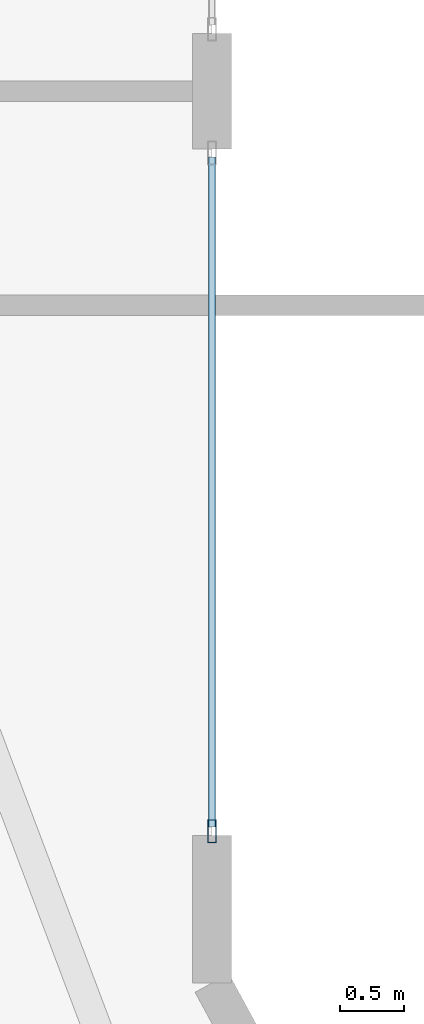
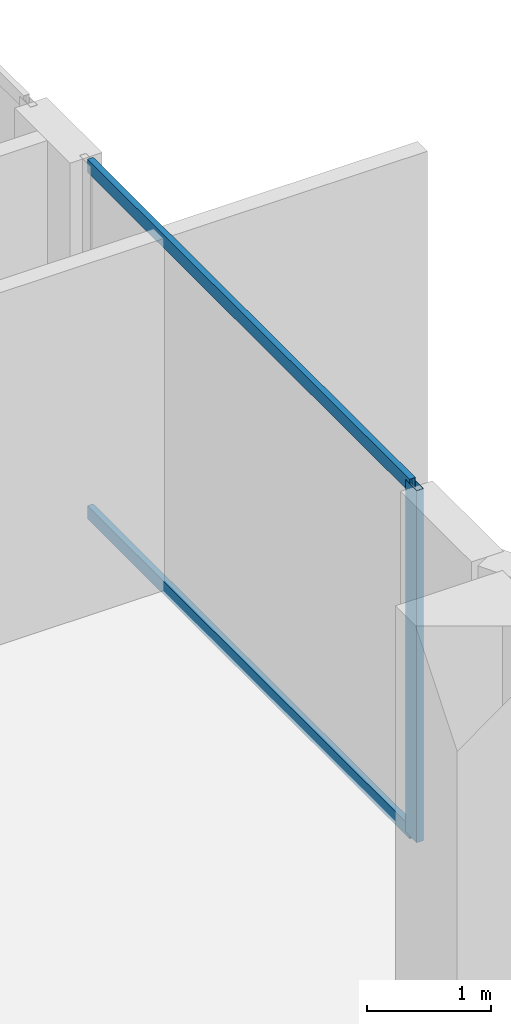
# One storey, part 10 of 23: 3 members, 1 element without a shape of its own.
"""IFC4 building model written with IfcOpenShell, lengths in metres."""

import ifcopenshell
import ifcopenshell.guid

model = None  # the IFC model being written
_history = None  # IfcOwnerHistory: only IFC2X3 demands one
_inside = {}  # id of a spatial element -> (the spatial element, [elements in it])
_under = {}  # id of a project, library or spatial element -> (it, [spatial elements below it])
_declared = {}  # id of a project -> (the project, [libraries it declares])
_typed = {}  # id of a type object -> (the type object, [elements of that type])
_made_of = {}  # id of a material, layer set ... -> (it, [elements and type objects made of it])


def new_model(schema):
    """Start an empty IFC model of exactly this schema.

    Asked for "IFC4X3", IfcOpenShell would pick the latest addendum, in which some entities
    have other attributes; the version numbers below select the first issue.
    IFC2X3 requires an IfcOwnerHistory on every rooted entity: one is made here for all.
    """
    global model, _history
    if schema == "IFC4X3":
        model = ifcopenshell.file(schema_version=(4, 3, 0, 0))
    else:
        model = ifcopenshell.file(schema=schema)
    _inside.clear()
    _under.clear()
    _declared.clear()
    _typed.clear()
    _made_of.clear()
    _history = None
    if model.schema == "IFC2X3":
        org = make("IfcOrganization", Name="unknown")
        user = make(
            "IfcPersonAndOrganization",
            ThePerson=make("IfcPerson", FamilyName="unknown"),
            TheOrganization=org,
        )
        app = make(
            "IfcApplication",
            ApplicationDeveloper=org,
            Version="unknown",
            ApplicationFullName="unknown",
            ApplicationIdentifier="unknown",
        )
        _history = make(
            "IfcOwnerHistory",
            OwningUser=user,
            OwningApplication=app,
            ChangeAction="ADDED",
            CreationDate=0,
        )
    return model


def make(cls, **values):
    """One entity of the class cls with the attributes given. An attribute that is None is left unset."""
    return model.create_entity(
        cls, **{name: value for name, value in values.items() if value is not None}
    )


def rooted(cls, **values):
    """An entity with a GlobalId (a new one), such as an element, a storey or a relation."""
    return make(cls, GlobalId=ifcopenshell.guid.new(), OwnerHistory=_history, **values)


def si_unit(unit_type, name, prefix=None):
    """IfcSIUnit, for example si_unit("LENGTHUNIT", "METRE", prefix="MILLI")."""
    return make("IfcSIUnit", UnitType=unit_type, Prefix=prefix, Name=name)


def assignment(units):
    """IfcUnitAssignment: the units of a project."""
    return None if units is None else make("IfcUnitAssignment", Units=units)


def point(xyz):
    """IfcCartesianPoint."""
    return None if xyz is None else make("IfcCartesianPoint", Coordinates=xyz)


def direction(xyz):
    """IfcDirection."""
    return None if xyz is None else make("IfcDirection", DirectionRatios=xyz)


def frame(location, z_axis=None, x_axis=None):
    """IfcAxis2Placement3D, a coordinate frame: its origin and axes. An axis left out is left unset."""
    return make(
        "IfcAxis2Placement3D",
        Location=point(location),
        Axis=direction(z_axis),
        RefDirection=direction(x_axis),
    )


def frame_2d(location, x_axis=None):
    """IfcAxis2Placement2D, a coordinate frame in the plane: its origin and x axis."""
    return make(
        "IfcAxis2Placement2D", Location=point(location), RefDirection=direction(x_axis)
    )


def origin():
    """The frame at (0, 0, 0) with its axes left unset."""
    return frame((0.0, 0.0, 0.0))


def origin_2d():
    """The frame at (0, 0) in the plane with its x axis left unset."""
    return frame_2d((0.0, 0.0))


def place(relative_to, where):
    """IfcLocalPlacement: puts the frame where relative to a parent placement (None: the world)."""
    return make(
        "IfcLocalPlacement", PlacementRelTo=relative_to, RelativePlacement=where
    )


def context(
    kind, dimensions, precision=None, world=None, true_north=None, identifier=None
):
    """IfcGeometricRepresentationContext, for example the 3D "Model" context."""
    return make(
        "IfcGeometricRepresentationContext",
        ContextIdentifier=identifier,
        ContextType=kind,
        CoordinateSpaceDimension=dimensions,
        Precision=precision,
        WorldCoordinateSystem=world,
        TrueNorth=true_north,
    )


def subcontext(parent, identifier, kind, view, scale=None):
    """IfcGeometricRepresentationSubContext, for example "Body" below "Model"."""
    return make(
        "IfcGeometricRepresentationSubContext",
        ContextIdentifier=identifier,
        ContextType=kind,
        ParentContext=parent,
        TargetScale=scale,
        TargetView=view,
    )


def project(units=None, contexts=None):
    """IfcProject with its units and contexts."""
    return rooted(
        "IfcProject",
        Name="project",
        RepresentationContexts=contexts,
        UnitsInContext=assignment(units),
    )


def spatial(cls, under=None, at=None, **own):
    """A site, building, storey or space (cls), placed at a placement, below another one or the project."""
    s = rooted(cls, ObjectPlacement=at, **own)
    if under is not None:
        _under.setdefault(under.id(), (under, []))[1].append(s)
    return s


def profile(cls, at=None, kind="AREA", **sizes):
    """A parametric profile (cls). Its sizes go by their IFC names, for example OverallWidth=200.0."""
    return make(cls, ProfileType=kind, Position=at, **sizes)


def hollow_rectangle(**sizes):
    """IfcRectangleHollowProfileDef."""
    return profile("IfcRectangleHollowProfileDef", **sizes)


def extrude(swept, where, along, depth):
    """IfcExtrudedAreaSolid: the profile swept, set in the frame where, extruded along a direction by depth."""
    return make(
        "IfcExtrudedAreaSolid",
        SweptArea=swept,
        Position=where,
        ExtrudedDirection=direction(along),
        Depth=depth,
    )


def shape(context_of_items, identifier, shape_type, items):
    """IfcShapeRepresentation: the items that make up one representation, for example the "Body"."""
    return make(
        "IfcShapeRepresentation",
        ContextOfItems=context_of_items,
        RepresentationIdentifier=identifier,
        RepresentationType=shape_type,
        Items=items,
    )


def material(Name=None, Category=None):
    """IfcMaterial."""
    return make("IfcMaterial", Name=Name, Category=Category)


def layer(
    of_material, thickness, ventilated=None, Name=None, Category=None, Priority=None
):
    """IfcMaterialLayer: one layer of a wall or slab, of a material (None: an air gap)."""
    return make(
        "IfcMaterialLayer",
        Material=of_material,
        LayerThickness=thickness,
        IsVentilated=ventilated,
        Name=Name,
        Category=Category,
        Priority=Priority,
    )


def layer_set(layers, Name=None):
    """IfcMaterialLayerSet."""
    return make("IfcMaterialLayerSet", MaterialLayers=layers, LayerSetName=Name)


def material_profile(
    of_material, cross_section, Name=None, Category=None, Priority=None
):
    """IfcMaterialProfile: a cross section and its material."""
    return make(
        "IfcMaterialProfile",
        Name=Name,
        Material=of_material,
        Profile=cross_section,
        Priority=Priority,
        Category=Category,
    )


def profile_set(profiles, Name=None, composite=None):
    """IfcMaterialProfileSet."""
    return make(
        "IfcMaterialProfileSet",
        Name=Name,
        MaterialProfiles=profiles,
        CompositeProfile=composite,
    )


def made_of(thing, what):
    """Note that an element or type object is made of a material, layer set ...; save() writes the relation."""
    if what is not None:
        _made_of.setdefault(what.id(), (what, []))[1].append(thing)
    return thing


def type_object(cls, material=None, **own):
    """A type object (cls), such as IfcWallType, which elements share."""
    return made_of(rooted(cls, **own), material)


def element(
    cls,
    number,
    at=None,
    inside=None,
    cuts=None,
    type_object=None,
    material=None,
    context=None,
    identifier="Body",
    shape_type=None,
    held_by="IfcProductDefinitionShape",
    body=None,
    shapes=None,
    **own,
):
    """One element of the class cls, such as IfcWall. Its Tag is "e" and its number.

    at: its placement. inside: the storey or other place that contains it. cuts: it is an
    opening in that element (IfcRelVoidsElement). A single representation is given by context,
    identifier, shape_type and body (its items); several are given by shapes. held_by: the class
    of the entity that holds the representations. save() writes the other relations.
    """
    e = rooted(cls, Tag="e%d" % number, ObjectPlacement=at, **own)
    if body is not None:
        shapes = [shape(context, identifier, shape_type, body)]
    if shapes is not None:
        e.Representation = make(held_by, Representations=shapes)
    if inside is not None:
        _inside.setdefault(inside.id(), (inside, []))[1].append(e)
    if cuts is not None:
        rooted(
            "IfcRelVoidsElement", RelatingBuildingElement=cuts, RelatedOpeningElement=e
        )
    if type_object is not None:
        _typed.setdefault(type_object.id(), (type_object, []))[1].append(e)
    return made_of(e, material)


def aggregate(whole, parts):
    """IfcRelAggregates: a whole, such as a stair, and the parts it consists of."""
    return rooted("IfcRelAggregates", RelatingObject=whole, RelatedObjects=parts)


def save(model, path):
    """Write the relations noted so far, then the file.

    IfcRelAggregates (storeys below a building ...), IfcRelContainedInSpatialStructure (elements
    in a storey), IfcRelDefinesByType, IfcRelAssociatesMaterial and IfcRelDeclares: one each for
    every whole, place, type object, material and project.
    """
    for whole, parts in _under.values():
        aggregate(whole, parts)
    for where, things in _inside.values():
        rooted(
            "IfcRelContainedInSpatialStructure",
            RelatedElements=things,
            RelatingStructure=where,
        )
    for kind, things in _typed.values():
        rooted("IfcRelDefinesByType", RelatedObjects=things, RelatingType=kind)
    for what, things in _made_of.values():
        rooted("IfcRelAssociatesMaterial", RelatedObjects=things, RelatingMaterial=what)
    for by, libraries in _declared.values():
        rooted("IfcRelDeclares", RelatingContext=by, RelatedDefinitions=libraries)
    model.write(path)


model = new_model("IFC4")

# Units and contexts
model_context = context("Model", 3, precision=1e-05, world=origin(), true_north=direction((0.0, 1.0)))
body_context = subcontext(model_context, "Body", "Model", "MODEL_VIEW")
ifc_project = project(units=[si_unit("LENGTHUNIT", "METRE"), si_unit("AREAUNIT", "SQUARE_METRE"), si_unit("VOLUMEUNIT", "CUBIC_METRE"), si_unit("PLANEANGLEUNIT", "RADIAN"), si_unit("MASSUNIT", "GRAM", prefix="KILO")], contexts=[model_context])

# Site, building, storey
site_placement = place(None, origin())
site = spatial("IfcSite", under=ifc_project, at=site_placement, CompositionType="ELEMENT")
building_placement = place(site_placement, origin())
building = spatial("IfcBuilding", under=site, at=building_placement, Name="Zuhayl Quay Hotel", CompositionType="ELEMENT")
storey_placement = place(building_placement, frame((0.0, 0.0, 265.550048828125)))
storey = spatial("IfcBuildingStorey", under=building, at=storey_placement, Name="L67", CompositionType="ELEMENT", Elevation=265.550048828125)

# Curtain wall, members
ifc_material_1 = material(Name="Anodised Aluminium 6063-T6", Category="aluminium")
ifc_layer = layer(ifc_material_1, 0.169921875, Name="Anodised Aluminium 6063-T6", Category="aluminium")
ifc_layer_set = layer_set([ifc_layer], Name="Anodised Aluminium 6063-T6")
curtain_wall_type = type_object("IfcCurtainWallType", Name="CW_SYS_Z4", PredefinedType="USERDEFINED", material=ifc_layer_set)
curtain_wall_placement = place(storey_placement, origin())
curtain_wall = element("IfcCurtainWall", 1, at=curtain_wall_placement, inside=storey, type_object=curtain_wall_type, Name="L67 Curtain Wall ENV_L67_E11_CW2", ObjectType="UNITISED CURTAIN WALL", PredefinedType="USERDEFINED")
ifc_material_2 = material(Name="Black-anodised aluminium 6063-T6", Category="aluminium")
ifc_material_profile_1 = material_profile(ifc_material_2, hollow_rectangle(XDim=0.06494140625, YDim=0.179931640625, WallThickness=0.00341796875, at=origin_2d()), Name="ALU180X65")
ifc_profile_set_1 = profile_set([ifc_material_profile_1], Name="Black-anodised aluminium 6063-T6")
member_type_1 = type_object("IfcMemberType", Name="MB_CW_MUL_180", PredefinedType="MULLION", material=ifc_profile_set_1)
member_1_placement = place(storey_placement, frame((20.199951171875, 25.282470703125, 0.0), z_axis=(0.0, 0.0, 1.0), x_axis=(1.0, 0.0, 0.0)))
member_1 = element("IfcMember", 2, at=member_1_placement, type_object=member_type_1, Name="CW-Z4 mullion 2", PredefinedType="MULLION", context=body_context, shape_type="SweptSolid", body=[
    extrude(hollow_rectangle(XDim=0.06494140625, YDim=0.179931640625, WallThickness=0.00341796875, at=origin_2d()), origin(), (0.0, 0.0, 1.0), 3.47998046875),
])
ifc_material_profile_2 = material_profile(ifc_material_2, hollow_rectangle(XDim=0.054931640625, YDim=0.1298828125, WallThickness=0.0029296875, at=origin_2d()), Name="ALU130X55")
ifc_profile_set_2 = profile_set([ifc_material_profile_2], Name="Black-anodised aluminium 6063-T6")
member_type_2 = type_object("IfcMemberType", Name="MB_CW_TRN_130", PredefinedType="USERDEFINED", material=ifc_profile_set_2)
member_2_placement = place(storey_placement, frame((20.199951171875, 30.534912109375, 0.02734375), z_axis=(0.0, -1.0, 0.0), x_axis=(1.0, 0.0, 0.0)))
member_2 = element("IfcMember", 3, at=member_2_placement, type_object=member_type_2, Name="CW-Z4 transom 1.1", ObjectType="TRANSOM", PredefinedType="USERDEFINED", context=body_context, shape_type="SweptSolid", body=[
    extrude(hollow_rectangle(XDim=0.054931640625, YDim=0.1298828125, WallThickness=0.0029296875, at=origin_2d()), origin(), (0.0, 0.0, 1.0), 5.219970703125),
])
member_3_placement = place(storey_placement, frame((20.199951171875, 30.534912109375, 3.452392578125), z_axis=(0.0, -1.0, 0.0), x_axis=(1.0, 0.0, 0.0)))
member_3 = element("IfcMember", 4, at=member_3_placement, type_object=member_type_2, Name="CW-Z4 transom 1.2", ObjectType="TRANSOM", PredefinedType="USERDEFINED", context=body_context, shape_type="SweptSolid", body=[
    extrude(hollow_rectangle(XDim=0.054931640625, YDim=0.1298828125, WallThickness=0.0029296875, at=origin_2d()), origin(), (0.0, 0.0, 1.0), 5.219970703125),
])
aggregate(curtain_wall, [member_1, member_2, member_3])

save(model, "model.ifc")
